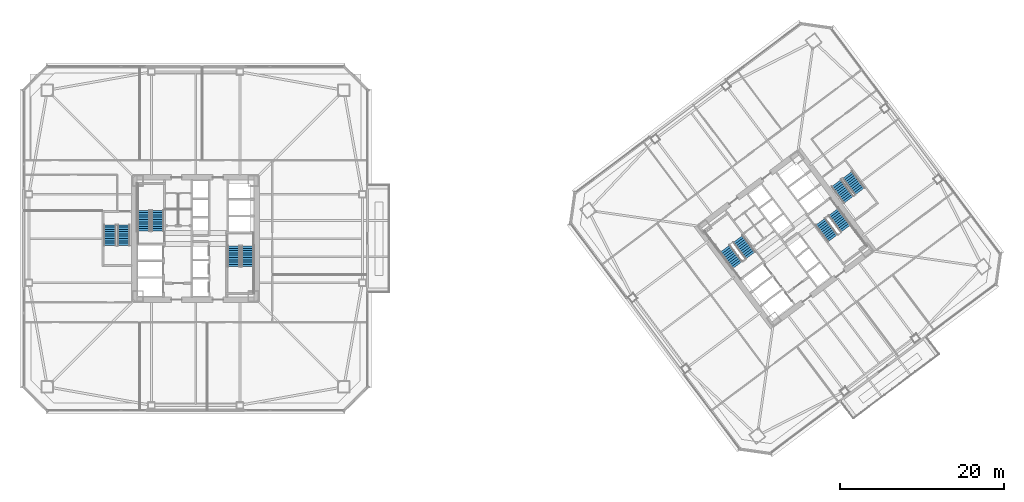
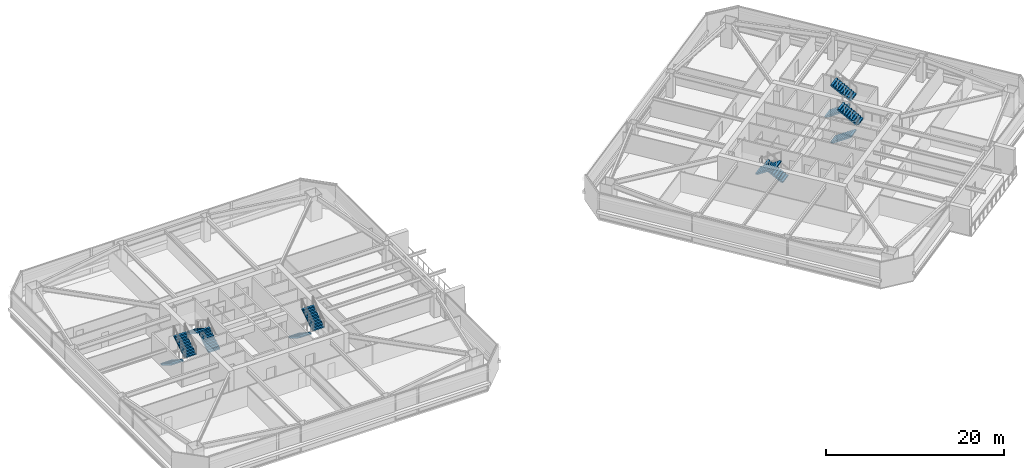
# One storey, part 38 of 44: 12 stair flights, 6 elements without a shape of their own.
"""IFC4 building model written with IfcOpenShell, lengths in metres."""

from ifc_helpers import new_model, si_unit, direction, frame, origin, place, context, subcontext, project, spatial, polyline, outline, extrude, material, type_object, element, aggregate, save


model = new_model("IFC4")

# Units and contexts
model_context = context("Model", 3, precision=1e-05, world=origin(), true_north=direction((0.0, 1.0)))
body_context = subcontext(model_context, "Body", "Model", "MODEL_VIEW")
ifc_project = project(units=[si_unit("LENGTHUNIT", "METRE"), si_unit("AREAUNIT", "SQUARE_METRE"), si_unit("VOLUMEUNIT", "CUBIC_METRE"), si_unit("PLANEANGLEUNIT", "RADIAN"), si_unit("MASSUNIT", "GRAM", prefix="KILO")], contexts=[model_context])

# Site, building, storey
site_placement = place(None, origin())
site = spatial("IfcSite", under=ifc_project, at=site_placement, CompositionType="ELEMENT")
building_placement = place(site_placement, origin())
building = spatial("IfcBuilding", under=site, at=building_placement, Name="Tashvorn Skyway Center", CompositionType="ELEMENT")
storey_placement = place(building_placement, frame((0.0, 0.0, 102.699951171875)))
storey = spatial("IfcBuildingStorey", under=building, at=storey_placement, Name="L27", CompositionType="ELEMENT", Elevation=102.699951171875)

# Stair, stair flights
ifc_material = material(Name="Concrete C40/50", Category="concrete")
stair_type = type_object("IfcStairType", Name="STAIR-CORE-1500", PredefinedType="HALF_TURN_STAIR", material=ifc_material)
stair_1_placement = place(storey_placement, origin())
stair_1 = element("IfcStair", 1, at=stair_1_placement, inside=storey, type_object=stair_type, Name="L27 Tower 1 Exit Stair 1", PredefinedType="HALF_TURN_STAIR")
stair_flight_type = type_object("IfcStairFlightType", Name="SFLIGHT-1500", PredefinedType="STRAIGHT", material=ifc_material)
stair_flight_1_placement = place(storey_placement, frame((37.35009765625, 32.919921875, 0.0), z_axis=(0.0, 0.0, 1.0), x_axis=(0.0, 1.0, 0.0)))
stair_flight_1 = element("IfcStairFlight", 2, at=stair_flight_1_placement, type_object=stair_flight_type, Name="ST-T1-1 flight 1", NumberOfRisers=10, NumberOfTreads=9, PredefinedType="STRAIGHT", RiserHeight=0.1775, TreadLength=0.28, context=body_context, shape_type="SweptSolid", body=[
    extrude(outline(polyline([(0.0, 0.0), (0.0, 0.177490234375), (0.280029296875, 0.177490234375), (0.280029296875, 0.35498046875), (0.56005859375, 0.35498046875), (0.56005859375, 0.532470703125), (0.840087890625, 0.532470703125), (0.840087890625, 0.7099609375), (1.1201171875, 0.7099609375), (1.1201171875, 0.887451171875), (1.39990234375, 0.887451171875), (1.39990234375, 1.06494140625), (1.679931640625, 1.06494140625), (1.679931640625, 1.242431640625), (1.9599609375, 1.242431640625), (1.9599609375, 1.419921875), (2.239990234375, 1.419921875), (2.239990234375, 1.597412109375), (2.52001953125, 1.597412109375), (2.52001953125, 1.77490234375), (2.52001953125, 1.419921875), (0.280029296875, 0.0), (0.0, 0.0)])), frame((0.0, 0.75, 0.0), z_axis=(0.0, -1.0, 0.0), x_axis=(1.0, 0.0, 0.0)), (0.0, 0.0, 1.0), 1.5),
])
stair_flight_2_placement = place(storey_placement, frame((35.64990234375, 35.43994140625, 1.775146484375), z_axis=(0.0, 0.0, 1.0), x_axis=(0.0, -1.0, 0.0)))
stair_flight_2 = element("IfcStairFlight", 3, at=stair_flight_2_placement, type_object=stair_flight_type, Name="ST-T1-1 flight 2", NumberOfRisers=10, NumberOfTreads=9, PredefinedType="STRAIGHT", RiserHeight=0.1775, TreadLength=0.28, context=body_context, shape_type="SweptSolid", body=[
    extrude(outline(polyline([(0.0, 0.0), (0.0, 0.177490234375), (0.280029296875, 0.177490234375), (0.280029296875, 0.35498046875), (0.56005859375, 0.35498046875), (0.56005859375, 0.532470703125), (0.840087890625, 0.532470703125), (0.840087890625, 0.7099609375), (1.1201171875, 0.7099609375), (1.1201171875, 0.887451171875), (1.39990234375, 0.887451171875), (1.39990234375, 1.06494140625), (1.679931640625, 1.06494140625), (1.679931640625, 1.242431640625), (1.9599609375, 1.242431640625), (1.9599609375, 1.419921875), (2.239990234375, 1.419921875), (2.239990234375, 1.597412109375), (2.52001953125, 1.597412109375), (2.52001953125, 1.77490234375), (2.52001953125, 1.419921875), (0.280029296875, 0.0), (0.0, 0.0)])), frame((0.0, 0.75, 0.0), z_axis=(0.0, -1.0, 0.0), x_axis=(1.0, 0.0, 0.0)), (0.0, 0.0, 1.0), 1.5),
])
aggregate(stair_1, [stair_flight_1, stair_flight_2])

stair_2_placement = place(storey_placement, origin())
stair_2 = element("IfcStair", 4, at=stair_2_placement, inside=storey, type_object=stair_type, Name="L27 Tower 1 Exit Stair 2", PredefinedType="HALF_TURN_STAIR")
stair_flight_3_placement = place(storey_placement, frame((46.64990234375, 31.080078125, 0.0), z_axis=(0.0, 0.0, 1.0), x_axis=(0.0, -1.0, 0.0)))
stair_flight_3 = element("IfcStairFlight", 5, at=stair_flight_3_placement, type_object=stair_flight_type, Name="ST-T1-2 flight 1", NumberOfRisers=10, NumberOfTreads=9, PredefinedType="STRAIGHT", RiserHeight=0.1775, TreadLength=0.28, context=body_context, shape_type="SweptSolid", body=[
    extrude(outline(polyline([(0.0, 0.0), (0.0, 0.177490234375), (0.280029296875, 0.177490234375), (0.280029296875, 0.35498046875), (0.56005859375, 0.35498046875), (0.56005859375, 0.532470703125), (0.840087890625, 0.532470703125), (0.840087890625, 0.7099609375), (1.1201171875, 0.7099609375), (1.1201171875, 0.887451171875), (1.39990234375, 0.887451171875), (1.39990234375, 1.06494140625), (1.679931640625, 1.06494140625), (1.679931640625, 1.242431640625), (1.9599609375, 1.242431640625), (1.9599609375, 1.419921875), (2.239990234375, 1.419921875), (2.239990234375, 1.597412109375), (2.52001953125, 1.597412109375), (2.52001953125, 1.77490234375), (2.52001953125, 1.419921875), (0.280029296875, 0.0), (0.0, 0.0)])), frame((0.0, 0.75, 0.0), z_axis=(0.0, -1.0, 0.0), x_axis=(1.0, 0.0, 0.0)), (0.0, 0.0, 1.0), 1.5),
])
stair_flight_4_placement = place(storey_placement, frame((48.35009765625, 28.56005859375, 1.775146484375), z_axis=(0.0, 0.0, 1.0), x_axis=(0.0, 1.0, 0.0)))
stair_flight_4 = element("IfcStairFlight", 6, at=stair_flight_4_placement, type_object=stair_flight_type, Name="ST-T1-2 flight 2", NumberOfRisers=10, NumberOfTreads=9, PredefinedType="STRAIGHT", RiserHeight=0.1775, TreadLength=0.28, context=body_context, shape_type="SweptSolid", body=[
    extrude(outline(polyline([(0.0, 0.0), (0.0, 0.177490234375), (0.280029296875, 0.177490234375), (0.280029296875, 0.35498046875), (0.56005859375, 0.35498046875), (0.56005859375, 0.532470703125), (0.840087890625, 0.532470703125), (0.840087890625, 0.7099609375), (1.1201171875, 0.7099609375), (1.1201171875, 0.887451171875), (1.39990234375, 0.887451171875), (1.39990234375, 1.06494140625), (1.679931640625, 1.06494140625), (1.679931640625, 1.242431640625), (1.9599609375, 1.242431640625), (1.9599609375, 1.419921875), (2.239990234375, 1.419921875), (2.239990234375, 1.597412109375), (2.52001953125, 1.597412109375), (2.52001953125, 1.77490234375), (2.52001953125, 1.419921875), (0.280029296875, 0.0), (0.0, 0.0)])), frame((0.0, 0.75, 0.0), z_axis=(0.0, -1.0, 0.0), x_axis=(1.0, 0.0, 0.0)), (0.0, 0.0, 1.0), 1.5),
])
aggregate(stair_2, [stair_flight_3, stair_flight_4])

stair_3_placement = place(storey_placement, origin())
stair_3 = element("IfcStair", 7, at=stair_3_placement, inside=storey, type_object=stair_type, Name="L27 Tower 2 Exit Stair 1", PredefinedType="HALF_TURN_STAIR")
stair_flight_5_placement = place(storey_placement, frame((109.72802734375, 29.946044921875, 0.0), z_axis=(0.0, 0.0, 1.0), x_axis=(-0.600000004945, 0.799999996291, 0.0)))
stair_flight_5 = element("IfcStairFlight", 8, at=stair_flight_5_placement, type_object=stair_flight_type, Name="ST-T2-1 flight 1", NumberOfRisers=10, NumberOfTreads=9, PredefinedType="STRAIGHT", RiserHeight=0.1775, TreadLength=0.28, context=body_context, shape_type="SweptSolid", body=[
    extrude(outline(polyline([(0.0, 0.0), (0.0, 0.177490234375), (0.280029296875, 0.177490234375), (0.280029296875, 0.35498046875), (0.56005859375, 0.35498046875), (0.56005859375, 0.532470703125), (0.840087890625, 0.532470703125), (0.840087890625, 0.7099609375), (1.1201171875, 0.7099609375), (1.1201171875, 0.887451171875), (1.39990234375, 0.887451171875), (1.39990234375, 1.06494140625), (1.679931640625, 1.06494140625), (1.679931640625, 1.242431640625), (1.9599609375, 1.242431640625), (1.9599609375, 1.419921875), (2.239990234375, 1.419921875), (2.239990234375, 1.597412109375), (2.52001953125, 1.597412109375), (2.52001953125, 1.77490234375), (2.52001953125, 1.419921875), (0.280029296875, 0.0), (0.0, 0.0)])), frame((0.0, 0.75, 0.0), z_axis=(0.0, -1.0, 0.0), x_axis=(1.0, 0.0, 0.0)), (0.0, 0.0, 1.0), 1.5),
])
stair_flight_6_placement = place(storey_placement, frame((106.632080078125, 30.77392578125, 1.775146484375), z_axis=(0.0, 0.0, 1.0), x_axis=(0.600000004945, -0.799999996291, 0.0)))
stair_flight_6 = element("IfcStairFlight", 9, at=stair_flight_6_placement, type_object=stair_flight_type, Name="ST-T2-1 flight 2", NumberOfRisers=10, NumberOfTreads=9, PredefinedType="STRAIGHT", RiserHeight=0.1775, TreadLength=0.28, context=body_context, shape_type="SweptSolid", body=[
    extrude(outline(polyline([(0.0, 0.0), (0.0, 0.177490234375), (0.280029296875, 0.177490234375), (0.280029296875, 0.35498046875), (0.56005859375, 0.35498046875), (0.56005859375, 0.532470703125), (0.840087890625, 0.532470703125), (0.840087890625, 0.7099609375), (1.1201171875, 0.7099609375), (1.1201171875, 0.887451171875), (1.39990234375, 0.887451171875), (1.39990234375, 1.06494140625), (1.679931640625, 1.06494140625), (1.679931640625, 1.242431640625), (1.9599609375, 1.242431640625), (1.9599609375, 1.419921875), (2.239990234375, 1.419921875), (2.239990234375, 1.597412109375), (2.52001953125, 1.597412109375), (2.52001953125, 1.77490234375), (2.52001953125, 1.419921875), (0.280029296875, 0.0), (0.0, 0.0)])), frame((0.0, 0.75, 0.0), z_axis=(0.0, -1.0, 0.0), x_axis=(1.0, 0.0, 0.0)), (0.0, 0.0, 1.0), 1.5),
])
aggregate(stair_3, [stair_flight_5, stair_flight_6])

stair_4_placement = place(storey_placement, origin())
stair_4 = element("IfcStair", 10, at=stair_4_placement, inside=storey, type_object=stair_type, Name="L27 Tower 2 Exit Stair 2", PredefinedType="HALF_TURN_STAIR")
stair_flight_7_placement = place(storey_placement, frame((118.27197265625, 34.053955078125, 0.0), z_axis=(0.0, 0.0, 1.0), x_axis=(0.600000004945, -0.799999996291, 0.0)))
stair_flight_7 = element("IfcStairFlight", 11, at=stair_flight_7_placement, type_object=stair_flight_type, Name="ST-T2-2 flight 1", NumberOfRisers=10, NumberOfTreads=9, PredefinedType="STRAIGHT", RiserHeight=0.1775, TreadLength=0.28, context=body_context, shape_type="SweptSolid", body=[
    extrude(outline(polyline([(0.0, 0.0), (0.0, 0.177490234375), (0.280029296875, 0.177490234375), (0.280029296875, 0.35498046875), (0.56005859375, 0.35498046875), (0.56005859375, 0.532470703125), (0.840087890625, 0.532470703125), (0.840087890625, 0.7099609375), (1.1201171875, 0.7099609375), (1.1201171875, 0.887451171875), (1.39990234375, 0.887451171875), (1.39990234375, 1.06494140625), (1.679931640625, 1.06494140625), (1.679931640625, 1.242431640625), (1.9599609375, 1.242431640625), (1.9599609375, 1.419921875), (2.239990234375, 1.419921875), (2.239990234375, 1.597412109375), (2.52001953125, 1.597412109375), (2.52001953125, 1.77490234375), (2.52001953125, 1.419921875), (0.280029296875, 0.0), (0.0, 0.0)])), frame((0.0, 0.75, 0.0), z_axis=(0.0, -1.0, 0.0), x_axis=(1.0, 0.0, 0.0)), (0.0, 0.0, 1.0), 1.5),
])
stair_flight_8_placement = place(storey_placement, frame((121.367919921875, 33.22607421875, 1.775146484375), z_axis=(0.0, 0.0, 1.0), x_axis=(-0.600000004945, 0.799999996291, 0.0)))
stair_flight_8 = element("IfcStairFlight", 12, at=stair_flight_8_placement, type_object=stair_flight_type, Name="ST-T2-2 flight 2", NumberOfRisers=10, NumberOfTreads=9, PredefinedType="STRAIGHT", RiserHeight=0.1775, TreadLength=0.28, context=body_context, shape_type="SweptSolid", body=[
    extrude(outline(polyline([(0.0, 0.0), (0.0, 0.177490234375), (0.280029296875, 0.177490234375), (0.280029296875, 0.35498046875), (0.56005859375, 0.35498046875), (0.56005859375, 0.532470703125), (0.840087890625, 0.532470703125), (0.840087890625, 0.7099609375), (1.1201171875, 0.7099609375), (1.1201171875, 0.887451171875), (1.39990234375, 0.887451171875), (1.39990234375, 1.06494140625), (1.679931640625, 1.06494140625), (1.679931640625, 1.242431640625), (1.9599609375, 1.242431640625), (1.9599609375, 1.419921875), (2.239990234375, 1.419921875), (2.239990234375, 1.597412109375), (2.52001953125, 1.597412109375), (2.52001953125, 1.77490234375), (2.52001953125, 1.419921875), (0.280029296875, 0.0), (0.0, 0.0)])), frame((0.0, 0.75, 0.0), z_axis=(0.0, -1.0, 0.0), x_axis=(1.0, 0.0, 0.0)), (0.0, 0.0, 1.0), 1.5),
])
aggregate(stair_4, [stair_flight_7, stair_flight_8])

stair_5_placement = place(storey_placement, origin())
stair_5 = element("IfcStair", 13, at=stair_5_placement, inside=storey, type_object=stair_type, Name="L27 Tower 1 Exit Stair 3", PredefinedType="HALF_TURN_STAIR")
stair_flight_9_placement = place(storey_placement, frame((31.550048828125, 33.679931640625, 0.0), z_axis=(0.0, 0.0, 1.0), x_axis=(0.0, -1.0, 0.0)))
stair_flight_9 = element("IfcStairFlight", 14, at=stair_flight_9_placement, type_object=stair_flight_type, Name="ST-T1-3 flight 1", NumberOfRisers=10, NumberOfTreads=9, PredefinedType="STRAIGHT", RiserHeight=0.1775, TreadLength=0.28, context=body_context, shape_type="SweptSolid", body=[
    extrude(outline(polyline([(0.0, 0.0), (0.0, 0.177490234375), (0.280029296875, 0.177490234375), (0.280029296875, 0.35498046875), (0.56005859375, 0.35498046875), (0.56005859375, 0.532470703125), (0.840087890625, 0.532470703125), (0.840087890625, 0.7099609375), (1.1201171875, 0.7099609375), (1.1201171875, 0.887451171875), (1.39990234375, 0.887451171875), (1.39990234375, 1.06494140625), (1.679931640625, 1.06494140625), (1.679931640625, 1.242431640625), (1.9599609375, 1.242431640625), (1.9599609375, 1.419921875), (2.239990234375, 1.419921875), (2.239990234375, 1.597412109375), (2.52001953125, 1.597412109375), (2.52001953125, 1.77490234375), (2.52001953125, 1.419921875), (0.280029296875, 0.0), (0.0, 0.0)])), frame((0.0, 0.75, 0.0), z_axis=(0.0, -1.0, 0.0), x_axis=(1.0, 0.0, 0.0)), (0.0, 0.0, 1.0), 1.5),
])
stair_flight_10_placement = place(storey_placement, frame((33.25, 31.159912109375, 1.775146484375), z_axis=(0.0, 0.0, 1.0), x_axis=(0.0, 1.0, 0.0)))
stair_flight_10 = element("IfcStairFlight", 15, at=stair_flight_10_placement, type_object=stair_flight_type, Name="ST-T1-3 flight 2", NumberOfRisers=10, NumberOfTreads=9, PredefinedType="STRAIGHT", RiserHeight=0.1775, TreadLength=0.28, context=body_context, shape_type="SweptSolid", body=[
    extrude(outline(polyline([(0.0, 0.0), (0.0, 0.177490234375), (0.280029296875, 0.177490234375), (0.280029296875, 0.35498046875), (0.56005859375, 0.35498046875), (0.56005859375, 0.532470703125), (0.840087890625, 0.532470703125), (0.840087890625, 0.7099609375), (1.1201171875, 0.7099609375), (1.1201171875, 0.887451171875), (1.39990234375, 0.887451171875), (1.39990234375, 1.06494140625), (1.679931640625, 1.06494140625), (1.679931640625, 1.242431640625), (1.9599609375, 1.242431640625), (1.9599609375, 1.419921875), (2.239990234375, 1.419921875), (2.239990234375, 1.597412109375), (2.52001953125, 1.597412109375), (2.52001953125, 1.77490234375), (2.52001953125, 1.419921875), (0.280029296875, 0.0), (0.0, 0.0)])), frame((0.0, 0.75, 0.0), z_axis=(0.0, -1.0, 0.0), x_axis=(1.0, 0.0, 0.0)), (0.0, 0.0, 1.0), 1.5),
])
aggregate(stair_5, [stair_flight_9, stair_flight_10])

stair_6_placement = place(storey_placement, origin())
stair_6 = element("IfcStair", 16, at=stair_6_placement, inside=storey, type_object=stair_type, Name="L27 Tower 2 Exit Stair 3", PredefinedType="HALF_TURN_STAIR")
stair_flight_11_placement = place(storey_placement, frame((120.216064453125, 38.761962890625, 0.0), z_axis=(0.0, 0.0, 1.0), x_axis=(0.600000004945, -0.799999996291, 0.0)))
stair_flight_11 = element("IfcStairFlight", 17, at=stair_flight_11_placement, type_object=stair_flight_type, Name="ST-T2-3 flight 1", NumberOfRisers=10, NumberOfTreads=9, PredefinedType="STRAIGHT", RiserHeight=0.1775, TreadLength=0.28, context=body_context, shape_type="SweptSolid", body=[
    extrude(outline(polyline([(0.0, 0.0), (0.0, 0.177490234375), (0.280029296875, 0.177490234375), (0.280029296875, 0.35498046875), (0.56005859375, 0.35498046875), (0.56005859375, 0.532470703125), (0.840087890625, 0.532470703125), (0.840087890625, 0.7099609375), (1.1201171875, 0.7099609375), (1.1201171875, 0.887451171875), (1.39990234375, 0.887451171875), (1.39990234375, 1.06494140625), (1.679931640625, 1.06494140625), (1.679931640625, 1.242431640625), (1.9599609375, 1.242431640625), (1.9599609375, 1.419921875), (2.239990234375, 1.419921875), (2.239990234375, 1.597412109375), (2.52001953125, 1.597412109375), (2.52001953125, 1.77490234375), (2.52001953125, 1.419921875), (0.280029296875, 0.0), (0.0, 0.0)])), frame((0.0, 0.75, 0.0), z_axis=(0.0, -1.0, 0.0), x_axis=(1.0, 0.0, 0.0)), (0.0, 0.0, 1.0), 1.5),
])
stair_flight_12_placement = place(storey_placement, frame((123.087890625, 37.76611328125, 1.775146484375), z_axis=(0.0, 0.0, 1.0), x_axis=(-0.600000004945, 0.799999996291, 0.0)))
stair_flight_12 = element("IfcStairFlight", 18, at=stair_flight_12_placement, type_object=stair_flight_type, Name="ST-T2-3 flight 2", NumberOfRisers=10, NumberOfTreads=9, PredefinedType="STRAIGHT", RiserHeight=0.1775, TreadLength=0.28, context=body_context, shape_type="SweptSolid", body=[
    extrude(outline(polyline([(0.0, 0.0), (0.0, 0.177490234375), (0.280029296875, 0.177490234375), (0.280029296875, 0.35498046875), (0.56005859375, 0.35498046875), (0.56005859375, 0.532470703125), (0.840087890625, 0.532470703125), (0.840087890625, 0.7099609375), (1.1201171875, 0.7099609375), (1.1201171875, 0.887451171875), (1.39990234375, 0.887451171875), (1.39990234375, 1.06494140625), (1.679931640625, 1.06494140625), (1.679931640625, 1.242431640625), (1.9599609375, 1.242431640625), (1.9599609375, 1.419921875), (2.239990234375, 1.419921875), (2.239990234375, 1.597412109375), (2.52001953125, 1.597412109375), (2.52001953125, 1.77490234375), (2.52001953125, 1.419921875), (0.280029296875, 0.0), (0.0, 0.0)])), frame((0.0, 0.75, 0.0), z_axis=(0.0, -1.0, 0.0), x_axis=(1.0, 0.0, 0.0)), (0.0, 0.0, 1.0), 1.5),
])
aggregate(stair_6, [stair_flight_11, stair_flight_12])

save(model, "model.ifc")
